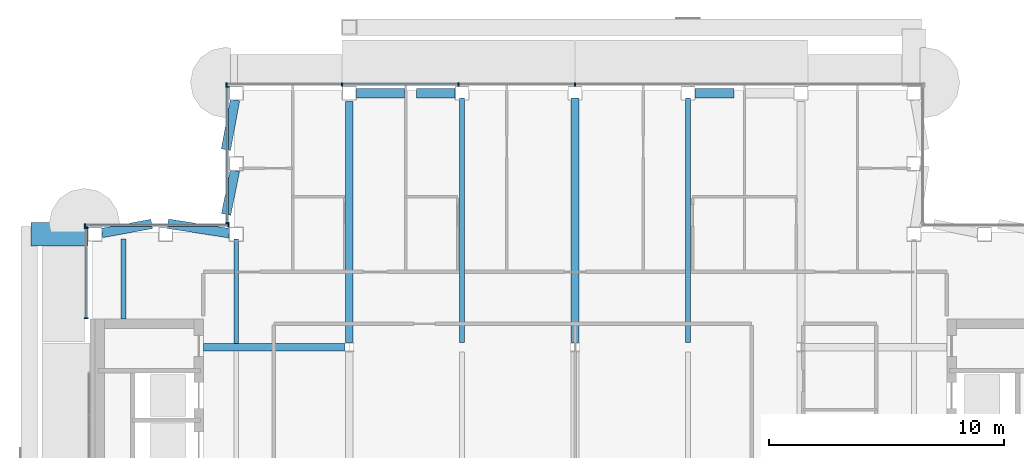
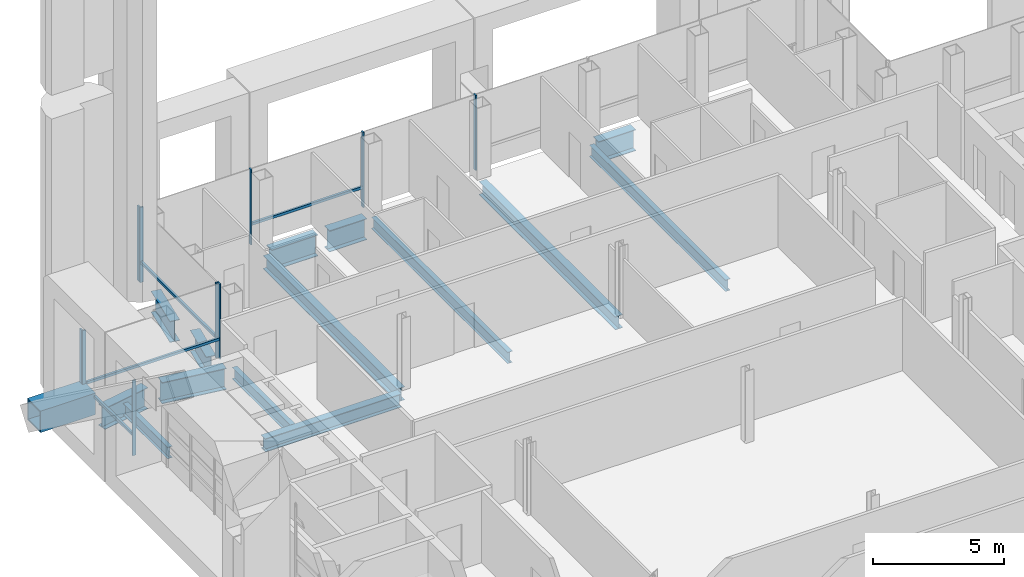
# One storey, part 9 of 29: 15 beams, 14 members, 4 elements without a shape of their own.
"""IFC4 building model written with IfcOpenShell, lengths in metres."""

from ifc_helpers import new_model, si_unit, direction, frame, origin, origin_2d, place, context, subcontext, project, spatial, rectangle, hollow_rectangle, i_section, extrude, material, material_profile, profile_set, type_object, element, aggregate, save


model = new_model("IFC4")

# Units and contexts
model_context = context("Model", 3, precision=1e-05, world=origin(), true_north=direction((0.0, 1.0)))
body_context = subcontext(model_context, "Body", "Model", "MODEL_VIEW")
ifc_project = project(units=[si_unit("LENGTHUNIT", "METRE"), si_unit("AREAUNIT", "SQUARE_METRE"), si_unit("VOLUMEUNIT", "CUBIC_METRE"), si_unit("PLANEANGLEUNIT", "RADIAN"), si_unit("MASSUNIT", "GRAM", prefix="KILO")], contexts=[model_context])

# Site, building, storey
site_placement = place(None, origin())
site = spatial("IfcSite", under=ifc_project, at=site_placement, CompositionType="ELEMENT")
building_placement = place(site_placement, origin())
building = spatial("IfcBuilding", under=site, at=building_placement, Name="Cobrizo Arcos Hotel Tower", CompositionType="ELEMENT")
storey_placement = place(building_placement, frame((0.0, 0.0, 241.0)))
storey = spatial("IfcBuildingStorey", under=building, at=storey_placement, Name="L63", CompositionType="ELEMENT", Elevation=241.0)

# Beam
ifc_material_1 = material(Name="Steel ASTM A572 Grade 50", Category="steel")
ifc_material_profile_1 = material_profile(ifc_material_1, hollow_rectangle(XDim=1.0, YDim=1.0, WallThickness=0.06005859375, at=origin_2d()), Name="BOX 1000X1000X60")
ifc_profile_set_1 = profile_set([ifc_material_profile_1], Name="Steel ASTM A572 Grade 50")
beam_type_1 = type_object("IfcBeamType", Name="BOX 1000X1000X60 brace connector strut", PredefinedType="BEAM", material=ifc_profile_set_1)
beam_1_placement = place(storey_placement, frame((-20.68994140625, 14.39990234375, 0.5), z_axis=(-1.0, 0.0, 0.0), x_axis=(0.0, -1.0, 0.0)))
element("IfcBeam", 1, at=beam_1_placement, inside=storey, type_object=beam_type_1, Name="Perimeter brace stub BS1, zone Z5, west face, offset +14.40 m, L63", PredefinedType="BEAM", context=body_context, shape_type="SweptSolid", body=[
    extrude(hollow_rectangle(XDim=1.0, YDim=1.0, WallThickness=0.06005859375, at=origin_2d()), origin(), (0.0, 0.0, 1.0), 2.43017578125),
])

# Curtain wall, members
ifc_material_2 = material(Name="Aluminium 6063-T6 anodised bronze", Category="aluminium")
curtain_wall_type = type_object("IfcCurtainWallType", Name="CW-A guest facade", PredefinedType="NOTDEFINED", material=ifc_material_2)
curtain_wall_1_placement = place(storey_placement, origin())
curtain_wall_1 = element("IfcCurtainWall", 2, at=curtain_wall_1_placement, inside=storey, type_object=curtain_wall_type, Name="CW-A L63 N face", PredefinedType="NOTDEFINED")
ifc_material_profile_2 = material_profile(ifc_material_2, rectangle(XDim=0.14990234375, YDim=0.06005859375, at=origin_2d()), Name="CW-A mullion 150x60")
ifc_profile_set_2 = profile_set([ifc_material_profile_2], Name="Aluminium 6063-T6 anodised bronze")
member_type_1 = type_object("IfcMemberType", Name="CW-A mullion 150x60", PredefinedType="MULLION", material=ifc_profile_set_2)
member_1_placement = place(storey_placement, frame((0.0, 20.77490234375, 0.0), z_axis=(0.0, 0.0, 1.0), x_axis=(0.0, 1.0, 0.0)))
member_1 = element("IfcMember", 3, at=member_1_placement, type_object=member_type_1, Name="CW-A mullion 4", PredefinedType="MULLION", context=body_context, shape_type="SweptSolid", body=[
    extrude(rectangle(XDim=0.14990234375, YDim=0.06005859375, at=origin_2d()), origin(), (0.0, 0.0, 1.0), 3.5),
])
member_2_placement = place(storey_placement, frame((-4.949951171875, 20.77490234375, 0.0), z_axis=(0.0, 0.0, 1.0), x_axis=(0.0, 1.0, 0.0)))
member_2 = element("IfcMember", 4, at=member_2_placement, type_object=member_type_1, Name="CW-A mullion 5", PredefinedType="MULLION", context=body_context, shape_type="SweptSolid", body=[
    extrude(rectangle(XDim=0.14990234375, YDim=0.06005859375, at=origin_2d()), origin(), (0.0, 0.0, 1.0), 3.5),
])
member_3_placement = place(storey_placement, frame((-9.89990234375, 20.77490234375, 0.0), z_axis=(0.0, 0.0, 1.0), x_axis=(0.0, 1.0, 0.0)))
member_3 = element("IfcMember", 5, at=member_3_placement, type_object=member_type_1, Name="CW-A mullion 6", PredefinedType="MULLION", context=body_context, shape_type="SweptSolid", body=[
    extrude(rectangle(XDim=0.14990234375, YDim=0.06005859375, at=origin_2d()), origin(), (0.0, 0.0, 1.0), 3.5),
])
member_4_placement = place(storey_placement, frame((-14.820068359375, 20.77490234375, 0.0), z_axis=(0.0, 0.0, 1.0), x_axis=(0.0, 1.0, 0.0)))
member_4 = element("IfcMember", 6, at=member_4_placement, type_object=member_type_1, Name="CW-A mullion 7", PredefinedType="MULLION", context=body_context, shape_type="SweptSolid", body=[
    extrude(rectangle(XDim=0.14990234375, YDim=0.06005859375, at=origin_2d()), origin(), (0.0, 0.0, 1.0), 3.5),
])

curtain_wall_2_placement = place(storey_placement, origin())
curtain_wall_2 = element("IfcCurtainWall", 7, at=curtain_wall_2_placement, inside=storey, type_object=curtain_wall_type, Name="CW-A L63 W face", PredefinedType="NOTDEFINED")
member_5_placement = place(storey_placement, frame((-14.77490234375, 20.669921875, 0.0), z_axis=(0.0, 0.0, 1.0), x_axis=(-1.0, 0.0, 0.0)))
member_5 = element("IfcMember", 8, at=member_5_placement, type_object=member_type_1, Name="CW-A mullion 1", PredefinedType="MULLION", context=body_context, shape_type="SweptSolid", body=[
    extrude(rectangle(XDim=0.14990234375, YDim=0.06005859375, at=origin_2d()), origin(), (0.0, 0.0, 1.0), 3.5),
])
member_6_placement = place(storey_placement, frame((-14.77490234375, 14.8798828125, 0.0), z_axis=(0.0, 0.0, 1.0), x_axis=(-1.0, 0.0, 0.0)))
member_6 = element("IfcMember", 9, at=member_6_placement, type_object=member_type_1, Name="CW-A mullion 2", PredefinedType="MULLION", context=body_context, shape_type="SweptSolid", body=[
    extrude(rectangle(XDim=0.14990234375, YDim=0.06005859375, at=origin_2d()), origin(), (0.0, 0.0, 1.0), 3.5),
])

curtain_wall_3_placement = place(storey_placement, origin())
curtain_wall_3 = element("IfcCurtainWall", 10, at=curtain_wall_3_placement, inside=storey, type_object=curtain_wall_type, Name="CW-A L63 N face", PredefinedType="NOTDEFINED")
member_7_placement = place(storey_placement, frame((-14.72998046875, 14.77490234375, 0.0), z_axis=(0.0, 0.0, 1.0), x_axis=(0.0, 1.0, 0.0)))
member_7 = element("IfcMember", 11, at=member_7_placement, type_object=member_type_1, Name="CW-A mullion 1", PredefinedType="MULLION", context=body_context, shape_type="SweptSolid", body=[
    extrude(rectangle(XDim=0.14990234375, YDim=0.06005859375, at=origin_2d()), origin(), (0.0, 0.0, 1.0), 3.5),
])
member_8_placement = place(storey_placement, frame((-20.820068359375, 14.77490234375, 0.0), z_axis=(0.0, 0.0, 1.0), x_axis=(0.0, 1.0, 0.0)))
member_8 = element("IfcMember", 12, at=member_8_placement, type_object=member_type_1, Name="CW-A mullion 2", PredefinedType="MULLION", context=body_context, shape_type="SweptSolid", body=[
    extrude(rectangle(XDim=0.14990234375, YDim=0.06005859375, at=origin_2d()), origin(), (0.0, 0.0, 1.0), 3.5),
])

curtain_wall_4_placement = place(storey_placement, origin())
curtain_wall_4 = element("IfcCurtainWall", 13, at=curtain_wall_4_placement, inside=storey, type_object=curtain_wall_type, Name="CW-A L63 W face", PredefinedType="NOTDEFINED")
member_9_placement = place(storey_placement, frame((-20.77490234375, 14.669921875, 0.0), z_axis=(0.0, 0.0, 1.0), x_axis=(-1.0, 0.0, 0.0)))
member_9 = element("IfcMember", 14, at=member_9_placement, type_object=member_type_1, Name="CW-A mullion 1", PredefinedType="MULLION", context=body_context, shape_type="SweptSolid", body=[
    extrude(rectangle(XDim=0.14990234375, YDim=0.06005859375, at=origin_2d()), origin(), (0.0, 0.0, 1.0), 3.5),
])
member_10_placement = place(storey_placement, frame((-20.77490234375, 10.830078125, 0.0), z_axis=(0.0, 0.0, 1.0), x_axis=(-1.0, 0.0, 0.0)))
member_10 = element("IfcMember", 15, at=member_10_placement, type_object=member_type_1, Name="CW-A mullion 2", PredefinedType="MULLION", context=body_context, shape_type="SweptSolid", body=[
    extrude(rectangle(XDim=0.14990234375, YDim=0.06005859375, at=origin_2d()), origin(), (0.0, 0.0, 1.0), 3.5),
])

# Member
ifc_material_profile_3 = material_profile(ifc_material_2, rectangle(XDim=0.10009765625, YDim=0.1201171875, at=origin_2d()), Name="CW-A transom 120x100")
ifc_profile_set_3 = profile_set([ifc_material_profile_3], Name="Aluminium 6063-T6 anodised bronze")
member_type_2 = type_object("IfcMemberType", Name="CW-A transom 120x100", PredefinedType="USERDEFINED", material=ifc_profile_set_3)
member_11_placement = place(storey_placement, frame((-4.97998046875, 20.77490234375, 0.929931640625), z_axis=(-1.0, 0.0, 0.0), x_axis=(0.0, -1.0, 0.0)))
member_11 = element("IfcMember", 16, at=member_11_placement, type_object=member_type_2, Name="CW-A transom 2028", ObjectType="TRANSOM", PredefinedType="USERDEFINED", context=body_context, shape_type="SweptSolid", body=[
    extrude(rectangle(XDim=0.10009765625, YDim=0.1201171875, at=origin_2d()), origin(), (0.0, 0.0, 1.0), 4.89013671875),
])

aggregate(curtain_wall_1, [member_1, member_2, member_3, member_4, member_11])

member_12_placement = place(storey_placement, frame((-14.77490234375, 20.639892578125, 0.929931640625), z_axis=(0.0, -1.0, 0.0), x_axis=(1.0, 0.0, 0.0)))
member_12 = element("IfcMember", 17, at=member_12_placement, type_object=member_type_2, Name="CW-A transom 2030", ObjectType="TRANSOM", PredefinedType="USERDEFINED", context=body_context, shape_type="SweptSolid", body=[
    extrude(rectangle(XDim=0.10009765625, YDim=0.1201171875, at=origin_2d()), origin(), (0.0, 0.0, 1.0), 5.639892578125),
])

aggregate(curtain_wall_2, [member_5, member_6, member_12])

member_13_placement = place(storey_placement, frame((-14.760009765625, 14.77490234375, 0.929931640625), z_axis=(-1.0, 0.0, 0.0), x_axis=(0.0, -1.0, 0.0)))
member_13 = element("IfcMember", 18, at=member_13_placement, type_object=member_type_2, Name="CW-A transom 2031", ObjectType="TRANSOM", PredefinedType="USERDEFINED", context=body_context, shape_type="SweptSolid", body=[
    extrude(rectangle(XDim=0.10009765625, YDim=0.1201171875, at=origin_2d()), origin(), (0.0, 0.0, 1.0), 5.830078125),
])

aggregate(curtain_wall_3, [member_7, member_8, member_13])

member_14_placement = place(storey_placement, frame((-20.77490234375, 13.800048828125, 0.929931640625), z_axis=(0.0, -1.0, 0.0), x_axis=(1.0, 0.0, 0.0)))
member_14 = element("IfcMember", 19, at=member_14_placement, type_object=member_type_2, Name="CW-A transom 2032", ObjectType="TRANSOM", PredefinedType="USERDEFINED", context=body_context, shape_type="SweptSolid", body=[
    extrude(rectangle(XDim=0.10009765625, YDim=0.1201171875, at=origin_2d()), origin(), (0.0, 0.0, 1.0), 2.93994140625),
])

aggregate(curtain_wall_4, [member_9, member_10, member_14])

# Beams
ifc_material_3 = material(Name="Steel ASTM A992 Grade 50", Category="steel")
ifc_material_profile_4 = material_profile(ifc_material_3, i_section(OverallWidth=0.209228515625, OverallDepth=0.533447265625, WebThickness=0.01025390625, FlangeThickness=0.015625, at=origin_2d()), Name="W21X62")
ifc_profile_set_4 = profile_set([ifc_material_profile_4], Name="Steel ASTM A992 Grade 50")
beam_type_2 = type_object("IfcBeamType", Name="W21X62 joist", PredefinedType="JOIST", material=ifc_profile_set_4)
beam_2_placement = place(storey_placement, frame((-19.199951171875, 10.81005859375, -0.416748046875), z_axis=(0.0, 1.0, 0.0), x_axis=(-1.0, 0.0, 0.0)))
element("IfcBeam", 20, at=beam_2_placement, inside=storey, type_object=beam_type_2, Name="Floor joist J1, L63, no. 002", PredefinedType="JOIST", context=body_context, shape_type="SweptSolid", body=[
    extrude(i_section(OverallWidth=0.209228515625, OverallDepth=0.533447265625, WebThickness=0.01025390625, FlangeThickness=0.015625, at=origin_2d()), origin(), (0.0, 0.0, 1.0), 3.389404296875),
])
beam_3_placement = place(storey_placement, frame((-14.39990234375, 9.763916015625, -0.416748046875), z_axis=(0.0, 1.0, 0.0), x_axis=(-1.0, 0.0, 0.0)))
element("IfcBeam", 21, at=beam_3_placement, inside=storey, type_object=beam_type_2, Name="Floor joist J1, L63, no. 006", PredefinedType="JOIST", context=body_context, shape_type="SweptSolid", body=[
    extrude(i_section(OverallWidth=0.209228515625, OverallDepth=0.533447265625, WebThickness=0.01025390625, FlangeThickness=0.015625, at=origin_2d()), origin(), (0.0, 0.0, 1.0), 4.435546875),
])
for number, where, z_axis, x_axis, name in (
    (22, (-4.800048828125, 9.800537109375, -0.416748046875), (0.0, 1.0, 0.0), (-1.0, 0.0, 0.0), "Floor joist J1, L63, no. 010"),
    (23, (4.800048828125, 9.800537109375, -0.416748046875), (0.0, 1.0, 0.0), (-1.0, 0.0, 0.0), "Floor joist J1, L63, no. 014"),
):
    element("IfcBeam", number, at=place(storey_placement, frame(where, z_axis=z_axis, x_axis=x_axis)), inside=storey, type_object=beam_type_2, Name=name, PredefinedType="JOIST", context=body_context, shape_type="SweptSolid", body=[
        extrude(i_section(OverallWidth=0.209228515625, OverallDepth=0.533447265625, WebThickness=0.01025390625, FlangeThickness=0.015625, at=origin_2d()), origin(), (0.0, 0.0, 1.0), 10.39892578125),
    ])
ifc_material_profile_5 = material_profile(ifc_material_3, i_section(OverallWidth=0.32763671875, OverallDepth=0.622314453125, WebThickness=0.015380859375, FlangeThickness=0.0244140625, at=origin_2d()), Name="W24X131")
ifc_profile_set_5 = profile_set([ifc_material_profile_5], Name="Steel ASTM A992 Grade 50")
beam_type_3 = type_object("IfcBeamType", Name="W24X131 girder", PredefinedType="BEAM", material=ifc_profile_set_5)
beam_4_placement = place(storey_placement, frame((-15.7900390625, 9.60009765625, -0.461181640625), z_axis=(1.0, 0.0, 0.0), x_axis=(0.0, 1.0, 0.0)))
element("IfcBeam", 24, at=beam_4_placement, inside=storey, type_object=beam_type_3, Name="Floor girder G1, L63, no. 005", PredefinedType="BEAM", context=body_context, shape_type="SweptSolid", body=[
    extrude(i_section(OverallWidth=0.32763671875, OverallDepth=0.622314453125, WebThickness=0.015380859375, FlangeThickness=0.0244140625, at=origin_2d()), origin(), (0.0, 0.0, 1.0), 6.00341796875),
])
beam_5_placement = place(storey_placement, frame((-9.60009765625, 9.800537109375, -0.461181640625), z_axis=(0.0, 1.0, 0.0), x_axis=(-1.0, 0.0, 0.0)))
element("IfcBeam", 25, at=beam_5_placement, inside=storey, type_object=beam_type_3, Name="Floor girder G1, L63, no. 010", PredefinedType="BEAM", context=body_context, shape_type="SweptSolid", body=[
    extrude(i_section(OverallWidth=0.32763671875, OverallDepth=0.622314453125, WebThickness=0.015380859375, FlangeThickness=0.0244140625, at=origin_2d()), origin(), (0.0, 0.0, 1.0), 10.24951171875),
])
beam_6_placement = place(storey_placement, frame((0.0, 9.800537109375, -0.461181640625), z_axis=(0.0, 1.0, 0.0), x_axis=(-1.0, 0.0, 0.0)))
element("IfcBeam", 26, at=beam_6_placement, inside=storey, type_object=beam_type_3, Name="Floor girder G1, L63, no. 014", PredefinedType="BEAM", context=body_context, shape_type="SweptSolid", body=[
    extrude(i_section(OverallWidth=0.32763671875, OverallDepth=0.622314453125, WebThickness=0.015380859375, FlangeThickness=0.0244140625, at=origin_2d()), origin(), (0.0, 0.0, 1.0), 10.39892578125),
])
ifc_material_profile_6 = material_profile(ifc_material_3, i_section(OverallWidth=0.4013671875, OverallDepth=0.990478515625, WebThickness=0.0166015625, FlangeThickness=0.025390625, at=origin_2d()), Name="W40X215")
ifc_profile_set_6 = profile_set([ifc_material_profile_6], Name="Steel ASTM A992 Grade 50")
beam_type_4 = type_object("IfcBeamType", Name="W40X215 transfer girder", PredefinedType="BEAM", material=ifc_profile_set_6)
beam_7_placement = place(storey_placement, frame((-14.83740234375, 17.994384765625, -0.645263671875), z_axis=(0.178925502795, 0.983862624785, 0.0), x_axis=(-0.983862624785, 0.178925502795, 0.0)))
element("IfcBeam", 27, at=beam_7_placement, inside=storey, type_object=beam_type_4, Name="Setback transfer girder TG1, L63, no. 001", PredefinedType="BEAM", context=body_context, shape_type="SweptSolid", body=[
    extrude(i_section(OverallWidth=0.4013671875, OverallDepth=0.990478515625, WebThickness=0.0166015625, FlangeThickness=0.025390625, at=origin_2d()), origin(), (0.0, 0.0, 1.0), 2.14501953125),
])
beam_8_placement = place(storey_placement, frame((-7.25, 20.39990234375, -0.645263671875), z_axis=(-1.0, 0.0, 0.0), x_axis=(0.0, -1.0, 0.0)))
element("IfcBeam", 28, at=beam_8_placement, inside=storey, type_object=beam_type_4, Name="Setback transfer girder TG1, L63, no. 003", PredefinedType="BEAM", context=body_context, shape_type="SweptSolid", body=[
    extrude(i_section(OverallWidth=0.4013671875, OverallDepth=0.990478515625, WebThickness=0.0166015625, FlangeThickness=0.025390625, at=origin_2d()), origin(), (0.0, 0.0, 1.0), 2.050048828125),
])
for number, where, z_axis, x_axis, name in (
    (29, (-6.75, 20.39990234375, -0.645263671875), (1.0, 0.0, 0.0), (0.0, 1.0, 0.0), "Setback transfer girder TG1, L63, no. 005"),
    (30, (6.75, 20.39990234375, -0.645263671875), (-1.0, 0.0, 0.0), (0.0, -1.0, 0.0), "Setback transfer girder TG1, L63, no. 007"),
):
    element("IfcBeam", number, at=place(storey_placement, frame(where, z_axis=z_axis, x_axis=x_axis)), inside=storey, type_object=beam_type_4, Name=name, PredefinedType="BEAM", context=body_context, shape_type="SweptSolid", body=[
        extrude(i_section(OverallWidth=0.4013671875, OverallDepth=0.990478515625, WebThickness=0.0166015625, FlangeThickness=0.025390625, at=origin_2d()), origin(), (0.0, 0.0, 1.0), 1.64990234375),
    ])
beam_9_placement = place(storey_placement, frame((-17.994384765625, 14.83740234375, -0.645263671875), z_axis=(-0.983862624785, -0.178925502795, 0.0), x_axis=(0.178925502795, -0.983862624785, 0.0)))
element("IfcBeam", 31, at=beam_9_placement, inside=storey, type_object=beam_type_4, Name="Setback transfer girder TG1, L63, no. 016", PredefinedType="BEAM", context=body_context, shape_type="SweptSolid", body=[
    extrude(i_section(OverallWidth=0.4013671875, OverallDepth=0.990478515625, WebThickness=0.0166015625, FlangeThickness=0.025390625, at=origin_2d()), origin(), (0.0, 0.0, 1.0), 2.14501953125),
])
beam_10_placement = place(storey_placement, frame((-17.30419921875, 14.8466796875, -0.645263671875), z_axis=(0.988374906765, -0.152036323548, 0.0), x_axis=(0.152036323548, 0.988374906765, 0.0)))
element("IfcBeam", 32, at=beam_10_placement, inside=storey, type_object=beam_type_4, Name="Setback transfer girder TG1, L63, no. 019", PredefinedType="BEAM", context=body_context, shape_type="SweptSolid", body=[
    extrude(i_section(OverallWidth=0.4013671875, OverallDepth=0.990478515625, WebThickness=0.0166015625, FlangeThickness=0.025390625, at=origin_2d()), origin(), (0.0, 0.0, 1.0), 2.638427734375),
])
beam_11_placement = place(storey_placement, frame((-14.831298828125, 15.2431640625, -0.645263671875), z_axis=(0.196140852897, 0.980575731815, 0.0), x_axis=(-0.980575731815, 0.196140852897, 0.0)))
element("IfcBeam", 33, at=beam_11_placement, inside=storey, type_object=beam_type_4, Name="Setback transfer girder TG1, L63, no. 020", PredefinedType="BEAM", context=body_context, shape_type="SweptSolid", body=[
    extrude(i_section(OverallWidth=0.4013671875, OverallDepth=0.990478515625, WebThickness=0.0166015625, FlangeThickness=0.025390625, at=origin_2d()), origin(), (0.0, 0.0, 1.0), 1.8994140625),
])

save(model, "model.ifc")
